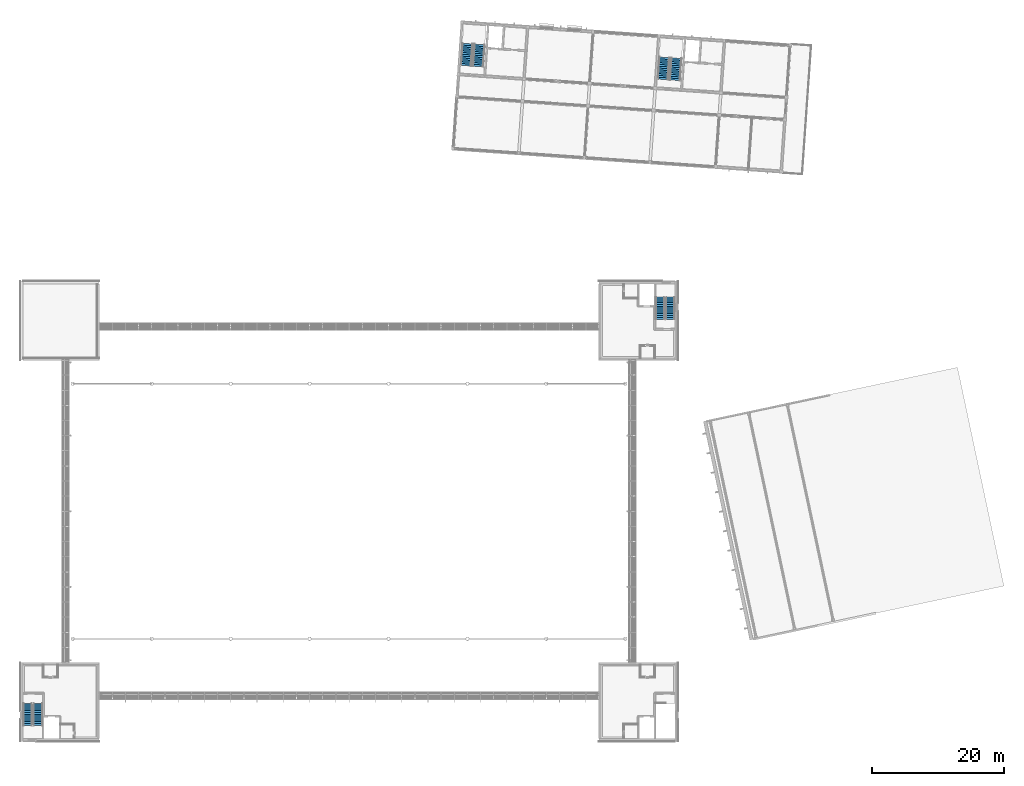
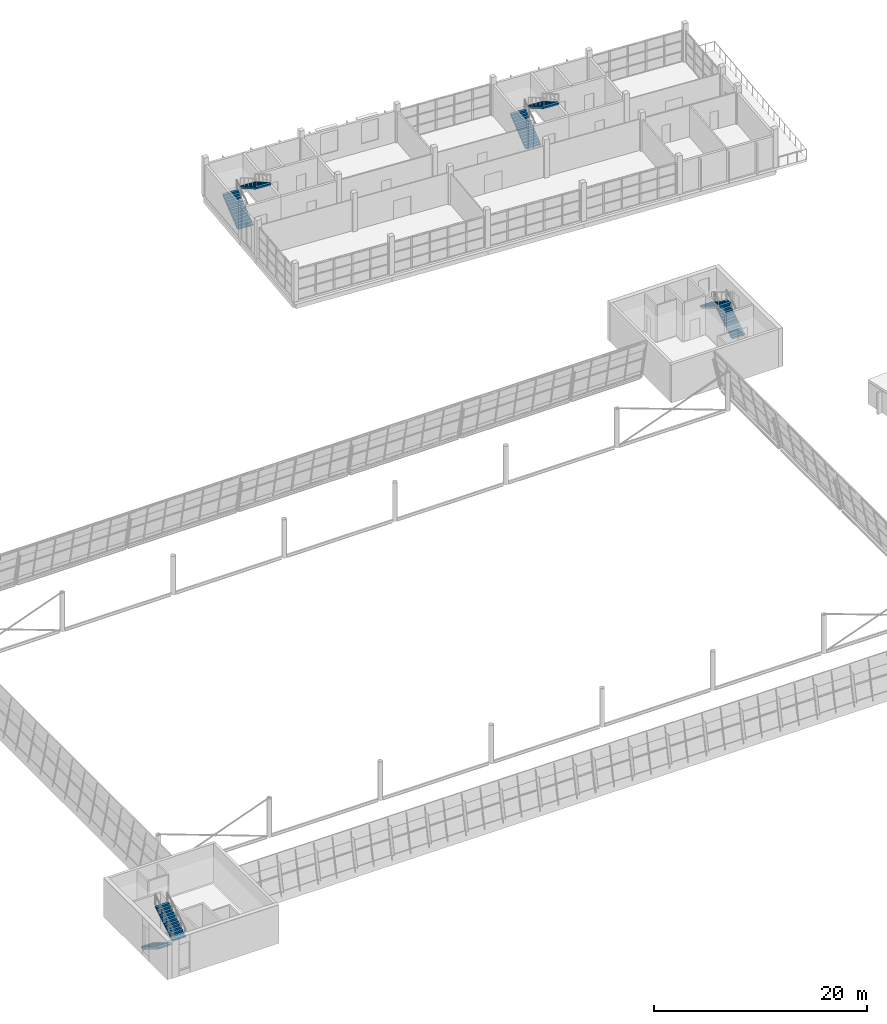
# One storey, part 36 of 50: 8 stair flights, 4 elements without a shape of their own.
"""IFC4 building model written with IfcOpenShell, lengths in metres."""

from ifc_helpers import new_model, si_unit, direction, frame, origin, place, context, subcontext, project, spatial, polyline, outline, extrude, material, type_object, element, aggregate, save


model = new_model("IFC4")

# Units and contexts
model_context = context("Model", 3, precision=1e-05, world=origin(), true_north=direction((0.0, 1.0)))
body_context = subcontext(model_context, "Body", "Model", "MODEL_VIEW")
ifc_project = project(units=[si_unit("LENGTHUNIT", "METRE"), si_unit("AREAUNIT", "SQUARE_METRE"), si_unit("VOLUMEUNIT", "CUBIC_METRE"), si_unit("PLANEANGLEUNIT", "RADIAN"), si_unit("MASSUNIT", "GRAM", prefix="KILO")], contexts=[model_context])

# Site, building, storey
site_placement = place(None, origin())
site = spatial("IfcSite", under=ifc_project, at=site_placement, CompositionType="ELEMENT")
building_placement = place(site_placement, origin())
building = spatial("IfcBuilding", under=site, at=building_placement, Name="Windward Yard Aquatics Centre", CompositionType="ELEMENT")
storey_placement = place(building_placement, frame((0.0, 0.0, 18.199951171875)))
storey = spatial("IfcBuildingStorey", under=building, at=storey_placement, Name="L04", CompositionType="ELEMENT", Elevation=18.199951171875)

# Stair, stair flights
ifc_material = material(Name="Concrete C35/45", Category="concrete")
stair_type_1 = type_object("IfcStairType", Name="H Core Stair Concrete C35/45 1400", PredefinedType="HALF_TURN_STAIR", material=ifc_material)
stair_1_placement = place(storey_placement, origin())
stair_1 = element("IfcStair", 1, at=stair_1_placement, inside=storey, type_object=stair_type_1, Name="L04 Stair SW", PredefinedType="HALF_TURN_STAIR")
stair_flight_type_1 = type_object("IfcStairFlightType", Name="H Core Stair Flight Concrete C35/45 1400", PredefinedType="STRAIGHT", material=ifc_material)
stair_flight_1_placement = place(storey_placement, frame((53.14990234375, 31.800048828125, 0.0), z_axis=(0.0, 0.0, 1.0), x_axis=(0.0, -1.0, 0.0)))
stair_flight_1 = element("IfcStairFlight", 2, at=stair_flight_1_placement, type_object=stair_flight_type_1, Name="ST1 flight 1", NumberOfRisers=13, NumberOfTreads=12, PredefinedType="STRAIGHT", RiserHeight=0.169230769, TreadLength=0.28, context=body_context, shape_type="SweptSolid", body=[
    extrude(outline(polyline([(0.0, 0.0), (0.0, 0.169189453125), (0.280029296875, 0.169189453125), (0.280029296875, 0.33837890625), (0.56005859375, 0.33837890625), (0.56005859375, 0.5078125), (0.840087890625, 0.5078125), (0.840087890625, 0.677001953125), (1.1201171875, 0.677001953125), (1.1201171875, 0.84619140625), (1.39990234375, 0.84619140625), (1.39990234375, 1.015380859375), (1.679931640625, 1.015380859375), (1.679931640625, 1.1845703125), (1.9599609375, 1.1845703125), (1.9599609375, 1.353759765625), (2.239990234375, 1.353759765625), (2.239990234375, 1.523193359375), (2.52001953125, 1.523193359375), (2.52001953125, 1.6923828125), (2.800048828125, 1.6923828125), (2.800048828125, 1.861572265625), (3.080078125, 1.861572265625), (3.080078125, 2.03076171875), (3.360107421875, 2.03076171875), (3.360107421875, 2.199951171875), (3.360107421875, 1.855712890625), (0.289794921875, 0.0), (0.0, 0.0)])), frame((0.0, 0.699951171875, 0.0), z_axis=(0.0, -1.0, 0.0), x_axis=(1.0, 0.0, 0.0)), (0.0, 0.0, 1.0), 1.39990234375),
])
stair_flight_2_placement = place(storey_placement, frame((54.699951171875, 28.43994140625, 2.199951171875), z_axis=(0.0, 0.0, 1.0), x_axis=(0.0, 1.0, 0.0)))
stair_flight_2 = element("IfcStairFlight", 3, at=stair_flight_2_placement, type_object=stair_flight_type_1, Name="ST1 flight 2", NumberOfRisers=13, NumberOfTreads=12, PredefinedType="STRAIGHT", RiserHeight=0.169230769, TreadLength=0.28, context=body_context, shape_type="SweptSolid", body=[
    extrude(outline(polyline([(0.0, 0.0), (0.0, 0.169189453125), (0.280029296875, 0.169189453125), (0.280029296875, 0.33837890625), (0.56005859375, 0.33837890625), (0.56005859375, 0.5078125), (0.840087890625, 0.5078125), (0.840087890625, 0.677001953125), (1.1201171875, 0.677001953125), (1.1201171875, 0.84619140625), (1.39990234375, 0.84619140625), (1.39990234375, 1.015380859375), (1.679931640625, 1.015380859375), (1.679931640625, 1.1845703125), (1.9599609375, 1.1845703125), (1.9599609375, 1.353759765625), (2.239990234375, 1.353759765625), (2.239990234375, 1.523193359375), (2.52001953125, 1.523193359375), (2.52001953125, 1.6923828125), (2.800048828125, 1.6923828125), (2.800048828125, 1.861572265625), (3.080078125, 1.861572265625), (3.080078125, 2.03076171875), (3.360107421875, 2.03076171875), (3.360107421875, 2.199951171875), (3.360107421875, 1.855712890625), (0.289794921875, 0.0), (0.0, 0.0)])), frame((0.0, 0.699951171875, 0.0), z_axis=(0.0, -1.0, 0.0), x_axis=(1.0, 0.0, 0.0)), (0.0, 0.0, 1.0), 1.39990234375),
])
aggregate(stair_1, [stair_flight_1, stair_flight_2])

stair_2_placement = place(storey_placement, origin())
stair_2 = element("IfcStair", 4, at=stair_2_placement, inside=storey, type_object=stair_type_1, Name="L04 Stair NE", PredefinedType="HALF_TURN_STAIR")
stair_flight_3_placement = place(storey_placement, frame((150.85009765625, 90.199951171875, 0.0), z_axis=(0.0, 0.0, 1.0), x_axis=(0.0, 1.0, 0.0)))
stair_flight_3 = element("IfcStairFlight", 5, at=stair_flight_3_placement, type_object=stair_flight_type_1, Name="ST4 flight 1", NumberOfRisers=13, NumberOfTreads=12, PredefinedType="STRAIGHT", RiserHeight=0.169230769, TreadLength=0.28, context=body_context, shape_type="SweptSolid", body=[
    extrude(outline(polyline([(0.0, 0.0), (0.0, 0.169189453125), (0.280029296875, 0.169189453125), (0.280029296875, 0.33837890625), (0.56005859375, 0.33837890625), (0.56005859375, 0.5078125), (0.840087890625, 0.5078125), (0.840087890625, 0.677001953125), (1.1201171875, 0.677001953125), (1.1201171875, 0.84619140625), (1.39990234375, 0.84619140625), (1.39990234375, 1.015380859375), (1.679931640625, 1.015380859375), (1.679931640625, 1.1845703125), (1.9599609375, 1.1845703125), (1.9599609375, 1.353759765625), (2.239990234375, 1.353759765625), (2.239990234375, 1.523193359375), (2.52001953125, 1.523193359375), (2.52001953125, 1.6923828125), (2.800048828125, 1.6923828125), (2.800048828125, 1.861572265625), (3.080078125, 1.861572265625), (3.080078125, 2.03076171875), (3.360107421875, 2.03076171875), (3.360107421875, 2.199951171875), (3.360107421875, 1.855712890625), (0.289794921875, 0.0), (0.0, 0.0)])), frame((0.0, 0.699951171875, 0.0), z_axis=(0.0, -1.0, 0.0), x_axis=(1.0, 0.0, 0.0)), (0.0, 0.0, 1.0), 1.39990234375),
])
stair_flight_4_placement = place(storey_placement, frame((149.300048828125, 93.56005859375, 2.199951171875), z_axis=(0.0, 0.0, 1.0), x_axis=(0.0, -1.0, 0.0)))
stair_flight_4 = element("IfcStairFlight", 6, at=stair_flight_4_placement, type_object=stair_flight_type_1, Name="ST4 flight 2", NumberOfRisers=13, NumberOfTreads=12, PredefinedType="STRAIGHT", RiserHeight=0.169230769, TreadLength=0.28, context=body_context, shape_type="SweptSolid", body=[
    extrude(outline(polyline([(0.0, 0.0), (0.0, 0.169189453125), (0.280029296875, 0.169189453125), (0.280029296875, 0.33837890625), (0.56005859375, 0.33837890625), (0.56005859375, 0.5078125), (0.840087890625, 0.5078125), (0.840087890625, 0.677001953125), (1.1201171875, 0.677001953125), (1.1201171875, 0.84619140625), (1.39990234375, 0.84619140625), (1.39990234375, 1.015380859375), (1.679931640625, 1.015380859375), (1.679931640625, 1.1845703125), (1.9599609375, 1.1845703125), (1.9599609375, 1.353759765625), (2.239990234375, 1.353759765625), (2.239990234375, 1.523193359375), (2.52001953125, 1.523193359375), (2.52001953125, 1.6923828125), (2.800048828125, 1.6923828125), (2.800048828125, 1.861572265625), (3.080078125, 1.861572265625), (3.080078125, 2.03076171875), (3.360107421875, 2.03076171875), (3.360107421875, 2.199951171875), (3.360107421875, 1.855712890625), (0.289794921875, 0.0), (0.0, 0.0)])), frame((0.0, 0.699951171875, 0.0), z_axis=(0.0, -1.0, 0.0), x_axis=(1.0, 0.0, 0.0)), (0.0, 0.0, 1.0), 1.39990234375),
])
aggregate(stair_2, [stair_flight_3, stair_flight_4])

stair_type_2 = type_object("IfcStairType", Name="W exit stair 1600", PredefinedType="HALF_TURN_STAIR", material=ifc_material)
stair_3_placement = place(storey_placement, origin())
stair_3 = element("IfcStair", 7, at=stair_3_placement, inside=storey, type_object=stair_type_2, Name="W.ST.W.L04", PredefinedType="HALF_TURN_STAIR")
stair_flight_type_2 = type_object("IfcStairFlightType", Name="W stair flight 1600 Concrete C35/45", PredefinedType="STRAIGHT", material=ifc_material)
stair_flight_5_placement = place(storey_placement, frame((119.772216796875, 128.763427734375, 0.0), z_axis=(0.0, 0.0, 1.0), x_axis=(0.069756473744, 0.99756405026, 0.0)))
stair_flight_5 = element("IfcStairFlight", 8, at=stair_flight_5_placement, type_object=stair_flight_type_2, Name="ST-W flight 1", NumberOfRisers=13, NumberOfTreads=12, PredefinedType="STRAIGHT", RiserHeight=0.169230769, TreadLength=0.28, context=body_context, shape_type="SweptSolid", body=[
    extrude(outline(polyline([(0.0, 0.0), (0.0, 0.169189453125), (0.280029296875, 0.169189453125), (0.280029296875, 0.33837890625), (0.56005859375, 0.33837890625), (0.56005859375, 0.5078125), (0.840087890625, 0.5078125), (0.840087890625, 0.677001953125), (1.1201171875, 0.677001953125), (1.1201171875, 0.84619140625), (1.39990234375, 0.84619140625), (1.39990234375, 1.015380859375), (1.679931640625, 1.015380859375), (1.679931640625, 1.1845703125), (1.9599609375, 1.1845703125), (1.9599609375, 1.353759765625), (2.239990234375, 1.353759765625), (2.239990234375, 1.523193359375), (2.52001953125, 1.523193359375), (2.52001953125, 1.6923828125), (2.800048828125, 1.6923828125), (2.800048828125, 1.861572265625), (3.080078125, 1.861572265625), (3.080078125, 2.03076171875), (3.360107421875, 2.03076171875), (3.360107421875, 2.199951171875), (3.360107421875, 1.855712890625), (0.289794921875, 0.0), (0.0, 0.0)])), frame((0.0, 0.800048828125, 0.0), z_axis=(0.0, -1.0, 0.0), x_axis=(1.0, 0.0, 0.0)), (0.0, 0.0, 1.0), 1.60009765625),
])
stair_flight_6_placement = place(storey_placement, frame((121.85205078125, 131.986083984375, 2.199951171875), z_axis=(0.0, 0.0, 1.0), x_axis=(-0.069756473744, -0.99756405026, 0.0)))
stair_flight_6 = element("IfcStairFlight", 9, at=stair_flight_6_placement, type_object=stair_flight_type_2, Name="ST-W flight 2", NumberOfRisers=13, NumberOfTreads=12, PredefinedType="STRAIGHT", RiserHeight=0.169230769, TreadLength=0.28, context=body_context, shape_type="SweptSolid", body=[
    extrude(outline(polyline([(0.0, 0.0), (0.0, 0.169189453125), (0.280029296875, 0.169189453125), (0.280029296875, 0.33837890625), (0.56005859375, 0.33837890625), (0.56005859375, 0.5078125), (0.840087890625, 0.5078125), (0.840087890625, 0.677001953125), (1.1201171875, 0.677001953125), (1.1201171875, 0.84619140625), (1.39990234375, 0.84619140625), (1.39990234375, 1.015380859375), (1.679931640625, 1.015380859375), (1.679931640625, 1.1845703125), (1.9599609375, 1.1845703125), (1.9599609375, 1.353759765625), (2.239990234375, 1.353759765625), (2.239990234375, 1.523193359375), (2.52001953125, 1.523193359375), (2.52001953125, 1.6923828125), (2.800048828125, 1.6923828125), (2.800048828125, 1.861572265625), (3.080078125, 1.861572265625), (3.080078125, 2.03076171875), (3.360107421875, 2.03076171875), (3.360107421875, 2.199951171875), (3.360107421875, 1.855712890625), (0.289794921875, 0.0), (0.0, 0.0)])), frame((0.0, 0.800048828125, 0.0), z_axis=(0.0, -1.0, 0.0), x_axis=(1.0, 0.0, 0.0)), (0.0, 0.0, 1.0), 1.60009765625),
])
aggregate(stair_3, [stair_flight_5, stair_flight_6])

stair_4_placement = place(storey_placement, origin())
stair_4 = element("IfcStair", 10, at=stair_4_placement, inside=storey, type_object=stair_type_2, Name="W.ST.E.L04", PredefinedType="HALF_TURN_STAIR")
stair_flight_7_placement = place(storey_placement, frame((149.69921875, 126.670654296875, 0.0), z_axis=(0.0, 0.0, 1.0), x_axis=(0.069756473744, 0.99756405026, 0.0)))
stair_flight_7 = element("IfcStairFlight", 11, at=stair_flight_7_placement, type_object=stair_flight_type_2, Name="ST-E flight 1", NumberOfRisers=13, NumberOfTreads=12, PredefinedType="STRAIGHT", RiserHeight=0.169230769, TreadLength=0.28, context=body_context, shape_type="SweptSolid", body=[
    extrude(outline(polyline([(0.0, 0.0), (0.0, 0.169189453125), (0.280029296875, 0.169189453125), (0.280029296875, 0.33837890625), (0.56005859375, 0.33837890625), (0.56005859375, 0.5078125), (0.840087890625, 0.5078125), (0.840087890625, 0.677001953125), (1.1201171875, 0.677001953125), (1.1201171875, 0.84619140625), (1.39990234375, 0.84619140625), (1.39990234375, 1.015380859375), (1.679931640625, 1.015380859375), (1.679931640625, 1.1845703125), (1.9599609375, 1.1845703125), (1.9599609375, 1.353759765625), (2.239990234375, 1.353759765625), (2.239990234375, 1.523193359375), (2.52001953125, 1.523193359375), (2.52001953125, 1.6923828125), (2.800048828125, 1.6923828125), (2.800048828125, 1.861572265625), (3.080078125, 1.861572265625), (3.080078125, 2.03076171875), (3.360107421875, 2.03076171875), (3.360107421875, 2.199951171875), (3.360107421875, 1.855712890625), (0.289794921875, 0.0), (0.0, 0.0)])), frame((0.0, 0.800048828125, 0.0), z_axis=(0.0, -1.0, 0.0), x_axis=(1.0, 0.0, 0.0)), (0.0, 0.0, 1.0), 1.60009765625),
])
stair_flight_8_placement = place(storey_placement, frame((151.779052734375, 129.893310546875, 2.199951171875), z_axis=(0.0, 0.0, 1.0), x_axis=(-0.069756473744, -0.99756405026, 0.0)))
stair_flight_8 = element("IfcStairFlight", 12, at=stair_flight_8_placement, type_object=stair_flight_type_2, Name="ST-E flight 2", NumberOfRisers=13, NumberOfTreads=12, PredefinedType="STRAIGHT", RiserHeight=0.169230769, TreadLength=0.28, context=body_context, shape_type="SweptSolid", body=[
    extrude(outline(polyline([(0.0, 0.0), (0.0, 0.169189453125), (0.280029296875, 0.169189453125), (0.280029296875, 0.33837890625), (0.56005859375, 0.33837890625), (0.56005859375, 0.5078125), (0.840087890625, 0.5078125), (0.840087890625, 0.677001953125), (1.1201171875, 0.677001953125), (1.1201171875, 0.84619140625), (1.39990234375, 0.84619140625), (1.39990234375, 1.015380859375), (1.679931640625, 1.015380859375), (1.679931640625, 1.1845703125), (1.9599609375, 1.1845703125), (1.9599609375, 1.353759765625), (2.239990234375, 1.353759765625), (2.239990234375, 1.523193359375), (2.52001953125, 1.523193359375), (2.52001953125, 1.6923828125), (2.800048828125, 1.6923828125), (2.800048828125, 1.861572265625), (3.080078125, 1.861572265625), (3.080078125, 2.03076171875), (3.360107421875, 2.03076171875), (3.360107421875, 2.199951171875), (3.360107421875, 1.855712890625), (0.289794921875, 0.0), (0.0, 0.0)])), frame((0.0, 0.800048828125, 0.0), z_axis=(0.0, -1.0, 0.0), x_axis=(1.0, 0.0, 0.0)), (0.0, 0.0, 1.0), 1.60009765625),
])
aggregate(stair_4, [stair_flight_7, stair_flight_8])

save(model, "model.ifc")
